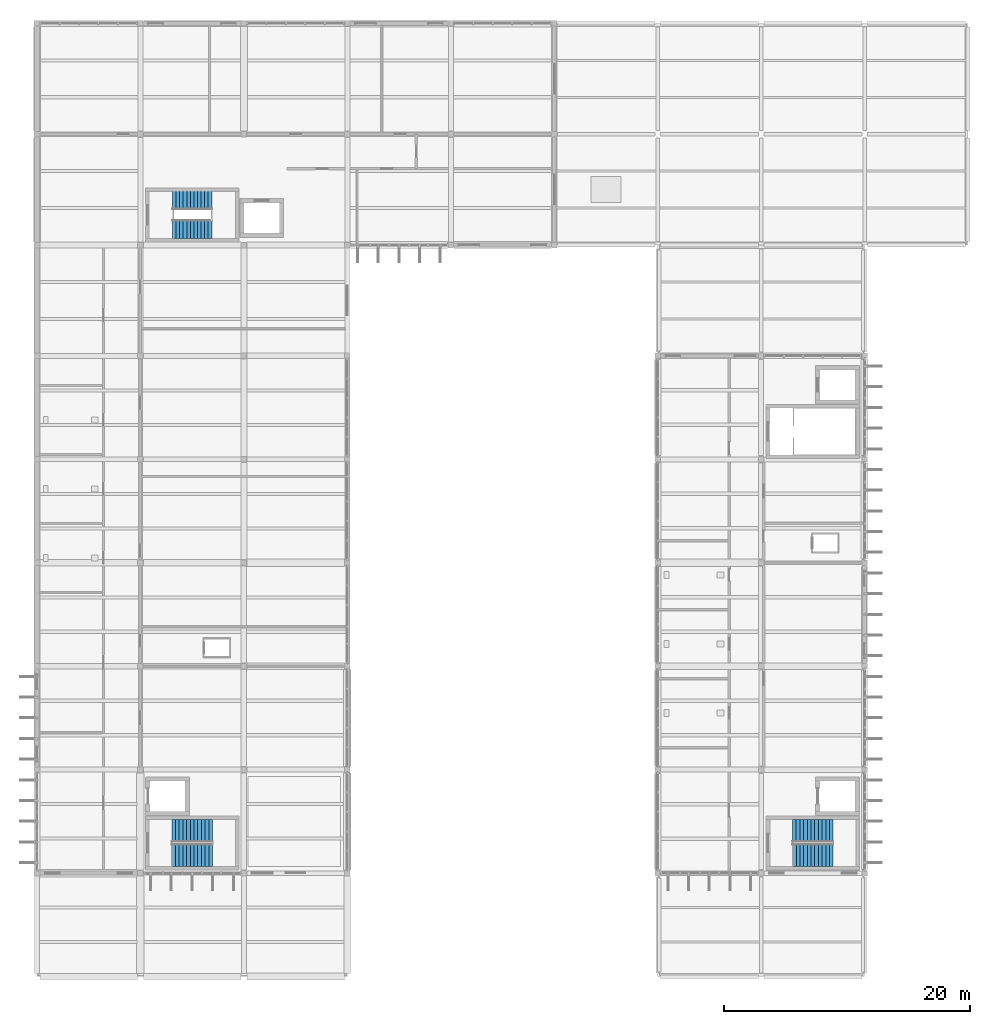
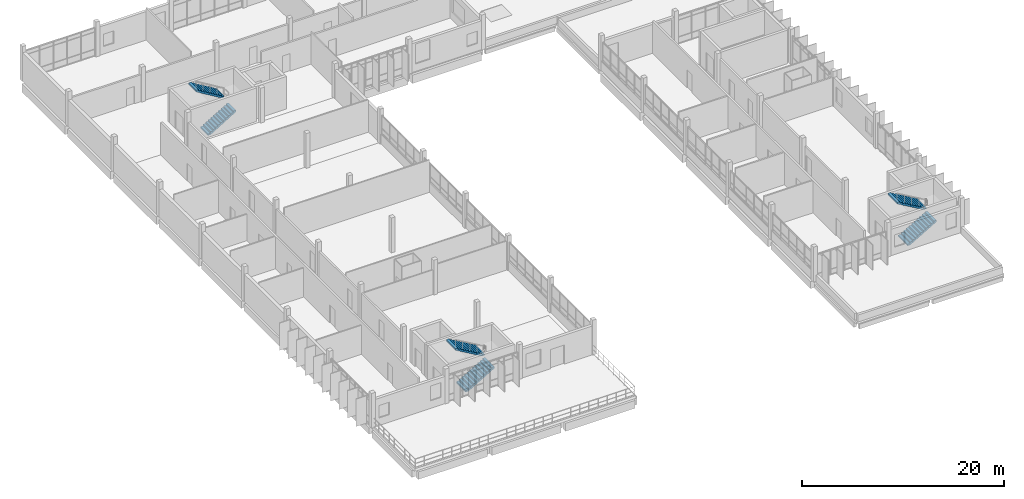
# One storey, part 55 of 62: 6 stair flights, 3 elements without a shape of their own.
"""IFC4 building model written with IfcOpenShell, lengths in metres."""

from ifc_helpers import new_model, si_unit, direction, frame, origin, place, context, subcontext, project, spatial, polyline, outline, extrude, material, type_object, element, aggregate, save


model = new_model("IFC4")

# Units and contexts
model_context = context("Model", 3, precision=1e-05, world=origin(), true_north=direction((0.0, 1.0)))
body_context = subcontext(model_context, "Body", "Model", "MODEL_VIEW")
ifc_project = project(units=[si_unit("LENGTHUNIT", "METRE"), si_unit("AREAUNIT", "SQUARE_METRE"), si_unit("VOLUMEUNIT", "CUBIC_METRE"), si_unit("PLANEANGLEUNIT", "RADIAN"), si_unit("MASSUNIT", "GRAM", prefix="KILO")], contexts=[model_context])

# Site, building, storey
site_placement = place(None, origin())
site = spatial("IfcSite", under=ifc_project, at=site_placement, CompositionType="ELEMENT")
building_placement = place(site_placement, origin())
building = spatial("IfcBuilding", under=site, at=building_placement, Name="Vireocrest Preparatory School", CompositionType="ELEMENT")
storey_placement = place(building_placement, frame((0.0, 0.0, 17.39990234375)))
storey = spatial("IfcBuildingStorey", under=building, at=storey_placement, Name="L04", CompositionType="ELEMENT", Elevation=17.39990234375)

# Stair, stair flights
ifc_material = material(Name="Concrete 40 MPa", Category="concrete")
stair_type_1 = type_object("IfcStairType", Name="Two-Run Exit Stair 4200 Rise 1500 Wide", PredefinedType="HALF_TURN_STAIR", material=ifc_material)
stair_1_placement = place(storey_placement, origin())
stair_1 = element("IfcStair", 1, at=stair_1_placement, inside=storey, type_object=stair_type_1, Name="Two-Run Stair ST3-L04", PredefinedType="HALF_TURN_STAIR")
stair_flight_type_1 = type_object("IfcStairFlightType", Name="Stair Flight 2100 Rise 1500 Wide", PredefinedType="STRAIGHT", material=ifc_material)
stair_flight_1_placement = place(storey_placement, frame((53.0048828125, 96.080078125, 0.0), z_axis=(0.0, 0.0, 1.0), x_axis=(1.0, 0.0, 0.0)))
stair_flight_1 = element("IfcStairFlight", 2, at=stair_flight_1_placement, type_object=stair_flight_type_1, Name="Stair Flight ST3-L04-F1", NumberOfRisers=12, NumberOfTreads=11, PredefinedType="STRAIGHT", RiserHeight=0.175, TreadLength=0.29, context=body_context, shape_type="SweptSolid", body=[
    extrude(outline(polyline([(0.0, 0.0), (0.0, 0.175048828125), (0.2900390625, 0.175048828125), (0.2900390625, 0.35009765625), (0.580078125, 0.35009765625), (0.580078125, 0.52490234375), (0.8701171875, 0.52490234375), (0.8701171875, 0.699951171875), (1.159912109375, 0.699951171875), (1.159912109375, 0.875), (1.449951171875, 0.875), (1.449951171875, 1.050048828125), (1.739990234375, 1.050048828125), (1.739990234375, 1.22509765625), (2.030029296875, 1.22509765625), (2.030029296875, 1.39990234375), (2.320068359375, 1.39990234375), (2.320068359375, 1.574951171875), (2.610107421875, 1.574951171875), (2.610107421875, 1.75), (2.89990234375, 1.75), (2.89990234375, 1.925048828125), (3.18994140625, 1.925048828125), (3.18994140625, 2.10009765625), (3.18994140625, 1.73828125), (0.3095703125, 0.0), (0.0, 0.0)])), frame((0.0, 0.75, 0.0), z_axis=(0.0, -1.0, 0.0), x_axis=(1.0, 0.0, 0.0)), (0.0, 0.0, 1.0), 1.5),
])
stair_flight_2_placement = place(storey_placement, frame((56.195068359375, 98.419921875, 2.10009765625), z_axis=(0.0, 0.0, 1.0), x_axis=(-1.0, 0.0, 0.0)))
stair_flight_2 = element("IfcStairFlight", 3, at=stair_flight_2_placement, type_object=stair_flight_type_1, Name="Stair Flight ST3-L04-F2", NumberOfRisers=12, NumberOfTreads=11, PredefinedType="STRAIGHT", RiserHeight=0.175, TreadLength=0.29, context=body_context, shape_type="SweptSolid", body=[
    extrude(outline(polyline([(0.0, 0.0), (0.0, 0.175048828125), (0.2900390625, 0.175048828125), (0.2900390625, 0.35009765625), (0.580078125, 0.35009765625), (0.580078125, 0.52490234375), (0.8701171875, 0.52490234375), (0.8701171875, 0.699951171875), (1.159912109375, 0.699951171875), (1.159912109375, 0.875), (1.449951171875, 0.875), (1.449951171875, 1.050048828125), (1.739990234375, 1.050048828125), (1.739990234375, 1.22509765625), (2.030029296875, 1.22509765625), (2.030029296875, 1.39990234375), (2.320068359375, 1.39990234375), (2.320068359375, 1.574951171875), (2.610107421875, 1.574951171875), (2.610107421875, 1.75), (2.89990234375, 1.75), (2.89990234375, 1.925048828125), (3.18994140625, 1.925048828125), (3.18994140625, 2.10009765625), (3.18994140625, 1.73828125), (0.3095703125, 0.0), (0.0, 0.0)])), frame((0.0, 0.75, 0.0), z_axis=(0.0, -1.0, 0.0), x_axis=(1.0, 0.0, 0.0)), (0.0, 0.0, 1.0), 1.5),
])
aggregate(stair_1, [stair_flight_1, stair_flight_2])

stair_type_2 = type_object("IfcStairType", Name="Feature Library Stair 4200 Rise 1800 Wide", PredefinedType="HALF_TURN_STAIR", material=ifc_material)
stair_2_placement = place(storey_placement, origin())
stair_2 = element("IfcStair", 4, at=stair_2_placement, inside=storey, type_object=stair_type_2, Name="Two-Run Stair ST1-L04", PredefinedType="HALF_TURN_STAIR")
stair_flight_type_2 = type_object("IfcStairFlightType", Name="Stair Flight 2100 Rise 1800 Wide", PredefinedType="STRAIGHT", material=ifc_material)
stair_flight_3_placement = place(storey_placement, frame((52.949951171875, 45.2548828125, 0.0), z_axis=(0.0, 0.0, 1.0), x_axis=(1.0, 0.0, 0.0)))
stair_flight_3 = element("IfcStairFlight", 5, at=stair_flight_3_placement, type_object=stair_flight_type_2, Name="Stair Flight ST1-L04-F1", NumberOfRisers=12, NumberOfTreads=11, PredefinedType="STRAIGHT", RiserHeight=0.175, TreadLength=0.3, context=body_context, shape_type="SweptSolid", body=[
    extrude(outline(polyline([(0.0, 0.0), (0.0, 0.175048828125), (0.300048828125, 0.175048828125), (0.300048828125, 0.35009765625), (0.60009765625, 0.35009765625), (0.60009765625, 0.52490234375), (0.89990234375, 0.52490234375), (0.89990234375, 0.699951171875), (1.199951171875, 0.699951171875), (1.199951171875, 0.875), (1.5, 0.875), (1.5, 1.050048828125), (1.800048828125, 1.050048828125), (1.800048828125, 1.22509765625), (2.10009765625, 1.22509765625), (2.10009765625, 1.39990234375), (2.39990234375, 1.39990234375), (2.39990234375, 1.574951171875), (2.699951171875, 1.574951171875), (2.699951171875, 1.75), (3.0, 1.75), (3.0, 1.925048828125), (3.300048828125, 1.925048828125), (3.300048828125, 2.10009765625), (3.300048828125, 1.739990234375), (0.3173828125, 0.0), (0.0, 0.0)])), frame((0.0, 0.925048828125, 0.0), z_axis=(0.0, -1.0, 0.0), x_axis=(1.0, 0.0, 0.0)), (0.0, 0.0, 1.0), 1.85009765625),
])
stair_flight_4_placement = place(storey_placement, frame((56.25, 47.2451171875, 2.10009765625), z_axis=(0.0, 0.0, 1.0), x_axis=(-1.0, 0.0, 0.0)))
stair_flight_4 = element("IfcStairFlight", 6, at=stair_flight_4_placement, type_object=stair_flight_type_2, Name="Stair Flight ST1-L04-F2", NumberOfRisers=12, NumberOfTreads=11, PredefinedType="STRAIGHT", RiserHeight=0.175, TreadLength=0.3, context=body_context, shape_type="SweptSolid", body=[
    extrude(outline(polyline([(0.0, 0.0), (0.0, 0.175048828125), (0.300048828125, 0.175048828125), (0.300048828125, 0.35009765625), (0.60009765625, 0.35009765625), (0.60009765625, 0.52490234375), (0.89990234375, 0.52490234375), (0.89990234375, 0.699951171875), (1.199951171875, 0.699951171875), (1.199951171875, 0.875), (1.5, 0.875), (1.5, 1.050048828125), (1.800048828125, 1.050048828125), (1.800048828125, 1.22509765625), (2.10009765625, 1.22509765625), (2.10009765625, 1.39990234375), (2.39990234375, 1.39990234375), (2.39990234375, 1.574951171875), (2.699951171875, 1.574951171875), (2.699951171875, 1.75), (3.0, 1.75), (3.0, 1.925048828125), (3.300048828125, 1.925048828125), (3.300048828125, 2.10009765625), (3.300048828125, 1.739990234375), (0.3173828125, 0.0), (0.0, 0.0)])), frame((0.0, 0.925048828125, 0.0), z_axis=(0.0, -1.0, 0.0), x_axis=(1.0, 0.0, 0.0)), (0.0, 0.0, 1.0), 1.85009765625),
])
aggregate(stair_2, [stair_flight_3, stair_flight_4])

stair_3_placement = place(storey_placement, origin())
stair_3 = element("IfcStair", 7, at=stair_3_placement, inside=storey, type_object=stair_type_2, Name="Two-Run Stair ST2-L04", PredefinedType="HALF_TURN_STAIR")
stair_flight_5_placement = place(storey_placement, frame((103.35009765625, 45.2548828125, 0.0), z_axis=(0.0, 0.0, 1.0), x_axis=(1.0, 0.0, 0.0)))
stair_flight_5 = element("IfcStairFlight", 8, at=stair_flight_5_placement, type_object=stair_flight_type_2, Name="Stair Flight ST2-L04-F1", NumberOfRisers=12, NumberOfTreads=11, PredefinedType="STRAIGHT", RiserHeight=0.175, TreadLength=0.3, context=body_context, shape_type="SweptSolid", body=[
    extrude(outline(polyline([(0.0, 0.0), (0.0, 0.175048828125), (0.300048828125, 0.175048828125), (0.300048828125, 0.35009765625), (0.60009765625, 0.35009765625), (0.60009765625, 0.52490234375), (0.89990234375, 0.52490234375), (0.89990234375, 0.699951171875), (1.199951171875, 0.699951171875), (1.199951171875, 0.875), (1.5, 0.875), (1.5, 1.050048828125), (1.800048828125, 1.050048828125), (1.800048828125, 1.22509765625), (2.10009765625, 1.22509765625), (2.10009765625, 1.39990234375), (2.39990234375, 1.39990234375), (2.39990234375, 1.574951171875), (2.699951171875, 1.574951171875), (2.699951171875, 1.75), (3.0, 1.75), (3.0, 1.925048828125), (3.300048828125, 1.925048828125), (3.300048828125, 2.10009765625), (3.300048828125, 1.739990234375), (0.3173828125, 0.0), (0.0, 0.0)])), frame((0.0, 0.925048828125, 0.0), z_axis=(0.0, -1.0, 0.0), x_axis=(1.0, 0.0, 0.0)), (0.0, 0.0, 1.0), 1.85009765625),
])
stair_flight_6_placement = place(storey_placement, frame((106.64990234375, 47.2451171875, 2.10009765625), z_axis=(0.0, 0.0, 1.0), x_axis=(-1.0, 0.0, 0.0)))
stair_flight_6 = element("IfcStairFlight", 9, at=stair_flight_6_placement, type_object=stair_flight_type_2, Name="Stair Flight ST2-L04-F2", NumberOfRisers=12, NumberOfTreads=11, PredefinedType="STRAIGHT", RiserHeight=0.175, TreadLength=0.3, context=body_context, shape_type="SweptSolid", body=[
    extrude(outline(polyline([(0.0, 0.0), (0.0, 0.175048828125), (0.300048828125, 0.175048828125), (0.300048828125, 0.35009765625), (0.60009765625, 0.35009765625), (0.60009765625, 0.52490234375), (0.89990234375, 0.52490234375), (0.89990234375, 0.699951171875), (1.199951171875, 0.699951171875), (1.199951171875, 0.875), (1.5, 0.875), (1.5, 1.050048828125), (1.800048828125, 1.050048828125), (1.800048828125, 1.22509765625), (2.10009765625, 1.22509765625), (2.10009765625, 1.39990234375), (2.39990234375, 1.39990234375), (2.39990234375, 1.574951171875), (2.699951171875, 1.574951171875), (2.699951171875, 1.75), (3.0, 1.75), (3.0, 1.925048828125), (3.300048828125, 1.925048828125), (3.300048828125, 2.10009765625), (3.300048828125, 1.739990234375), (0.3173828125, 0.0), (0.0, 0.0)])), frame((0.0, 0.925048828125, 0.0), z_axis=(0.0, -1.0, 0.0), x_axis=(1.0, 0.0, 0.0)), (0.0, 0.0, 1.0), 1.85009765625),
])
aggregate(stair_3, [stair_flight_5, stair_flight_6])

save(model, "model.ifc")
